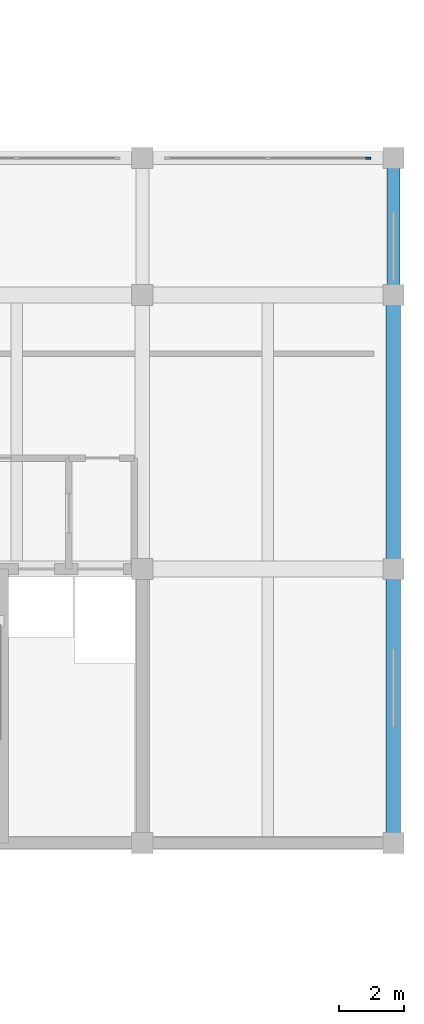
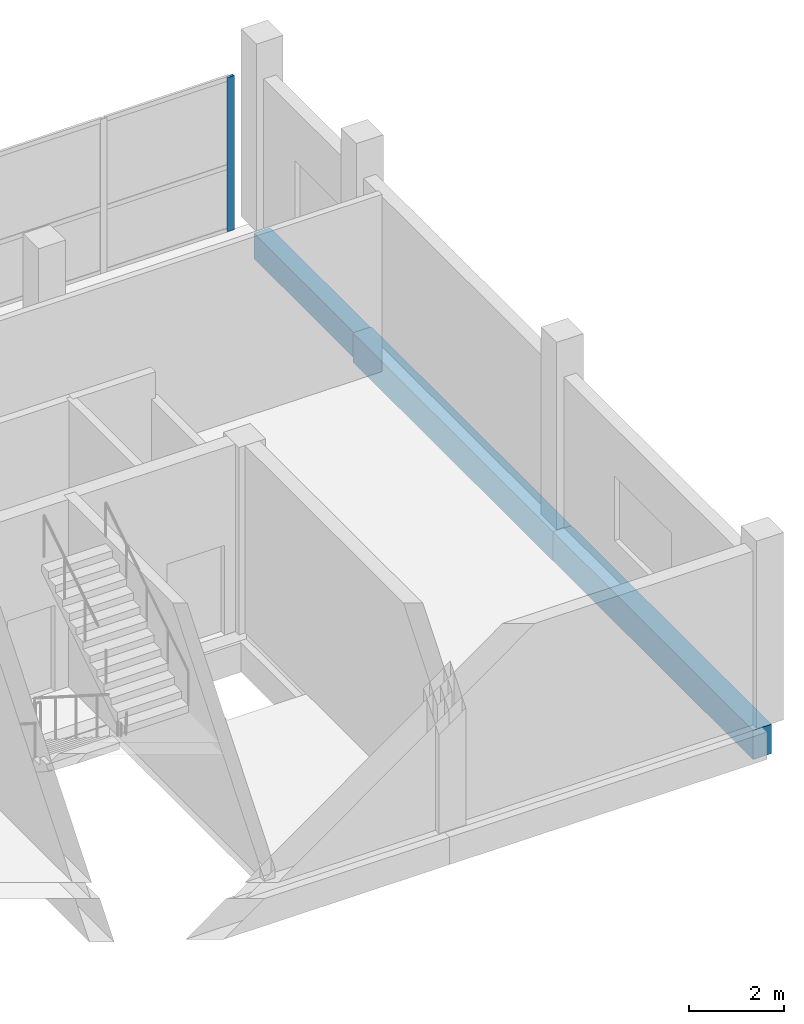
# One storey, part 25 of 47: 3 beams, 1 member, 1 element without a shape of its own.
"""IFC4 building model written with IfcOpenShell, lengths in metres."""

from ifc_helpers import new_model, si_unit, direction, frame, origin, origin_2d, place, context, subcontext, project, spatial, rectangle, extrude, material, material_profile, profile_set, type_object, element, aggregate, save


model = new_model("IFC4")

# Units and contexts
model_context = context("Model", 3, precision=1e-05, world=origin(), true_north=direction((0.0, 1.0)))
body_context = subcontext(model_context, "Body", "Model", "MODEL_VIEW")
ifc_project = project(units=[si_unit("LENGTHUNIT", "METRE"), si_unit("AREAUNIT", "SQUARE_METRE"), si_unit("VOLUMEUNIT", "CUBIC_METRE"), si_unit("PLANEANGLEUNIT", "RADIAN"), si_unit("MASSUNIT", "GRAM", prefix="KILO")], contexts=[model_context])

# Site, building, storey
site_placement = place(None, origin())
site = spatial("IfcSite", under=ifc_project, at=site_placement, CompositionType="ELEMENT")
building_placement = place(site_placement, origin())
building = spatial("IfcBuilding", under=site, at=building_placement, Name="Vharandega Faculty of Natural Sciences", CompositionType="ELEMENT")
storey_placement = place(building_placement, frame((0.0, 0.0, 5.39990234375)))
storey = spatial("IfcBuildingStorey", under=building, at=storey_placement, Name="L01", CompositionType="ELEMENT", Elevation=5.39990234375)

# Curtain wall, member
ifc_material_1 = material(Name="Aluminium and solar-control glass curtain wall", Category="aluminium")
curtain_wall_type = type_object("IfcCurtainWallType", Name="Unitised Curtain Wall System CW-08", PredefinedType="NOTDEFINED", material=ifc_material_1)
curtain_wall_placement = place(storey_placement, origin())
curtain_wall = element("IfcCurtainWall", 1, at=curtain_wall_placement, inside=storey, type_object=curtain_wall_type, Name="Curtain Wall CW-L01-007", PredefinedType="NOTDEFINED")
ifc_material_2 = material(Name="Thermally broken aluminium 6063-T6", Category="aluminium")
ifc_material_profile_1 = material_profile(ifc_material_2, rectangle(XDim=0.06005859375, YDim=0.159912109375, at=origin_2d()), Name="ALU 60x160")
ifc_profile_set_1 = profile_set([ifc_material_profile_1], Name="Thermally broken aluminium 6063-T6")
member_type = type_object("IfcMemberType", Name="CW Mullion 60x160", PredefinedType="MULLION", material=ifc_profile_set_1)
member_placement = place(storey_placement, frame((160.6298828125, 85.0, 0.0), z_axis=(0.0, 0.0, 1.0), x_axis=(0.0, 1.0, 0.0)))
member = element("IfcMember", 2, at=member_placement, type_object=member_type, Name="CW-08 mullion 3", PredefinedType="MULLION", context=body_context, shape_type="SweptSolid", body=[
    extrude(rectangle(XDim=0.06005859375, YDim=0.159912109375, at=origin_2d()), origin(), (0.0, 0.0, 1.0), 3.9501953125),
])
aggregate(curtain_wall, [member])

# Beams
ifc_material_3 = material(Name="Concrete C40/50", Category="concrete")
ifc_material_profile_2 = material_profile(ifc_material_3, rectangle(XDim=0.39990234375, YDim=0.64990234375, at=origin_2d()), Name="RC 400x650")
ifc_profile_set_2 = profile_set([ifc_material_profile_2], Name="Concrete C40/50")
beam_type_1 = type_object("IfcBeamType", Name="Podium Floor Beam 400x650", PredefinedType="BEAM", material=ifc_profile_set_2)
beam_1_placement = place(storey_placement, frame((161.39990234375, 80.800048828125, -0.60498046875), z_axis=(0.0, 1.0, 0.0), x_axis=(-1.0, 0.0, 0.0)))
element("IfcBeam", 3, at=beam_1_placement, inside=storey, type_object=beam_type_1, Name="Beam L01 21/L-M", PredefinedType="BEAM", context=body_context, shape_type="SweptSolid", body=[
    extrude(rectangle(XDim=0.39990234375, YDim=0.64990234375, at=origin_2d()), origin(), (0.0, 0.0, 1.0), 4.199951171875),
])
ifc_material_4 = material(Name="Concrete C40/50", Category="concrete")
ifc_material_profile_3 = material_profile(ifc_material_4, rectangle(XDim=0.449951171875, YDim=0.75, at=origin_2d()), Name="RC 450x750")
ifc_profile_set_3 = profile_set([ifc_material_profile_3], Name="Concrete C40/50")
beam_type_2 = type_object("IfcBeamType", Name="Podium Spine Beam 450x750", PredefinedType="BEAM", material=ifc_profile_set_3)
beam_2_placement = place(storey_placement, frame((161.39990234375, 64.0, -0.65478515625), z_axis=(0.0, 1.0, 0.0), x_axis=(-1.0, 0.0, 0.0)))
element("IfcBeam", 4, at=beam_2_placement, inside=storey, type_object=beam_type_2, Name="Beam L01 21/J-K", PredefinedType="BEAM", context=body_context, shape_type="SweptSolid", body=[
    extrude(rectangle(XDim=0.449951171875, YDim=0.75, at=origin_2d()), origin(), (0.0, 0.0, 1.0), 8.39990234375),
])
beam_3_placement = place(storey_placement, frame((161.39990234375, 72.39990234375, -0.65478515625), z_axis=(0.0, 1.0, 0.0), x_axis=(-1.0, 0.0, 0.0)))
element("IfcBeam", 5, at=beam_3_placement, inside=storey, type_object=beam_type_2, Name="Beam L01 21/K-L", PredefinedType="BEAM", context=body_context, shape_type="SweptSolid", body=[
    extrude(rectangle(XDim=0.449951171875, YDim=0.75, at=origin_2d()), origin(), (0.0, 0.0, 1.0), 8.400146484375),
])

save(model, "model.ifc")
